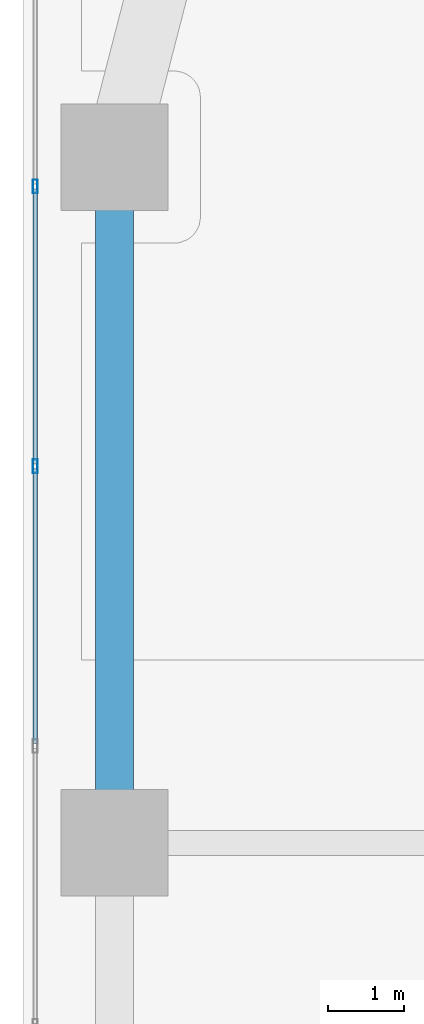
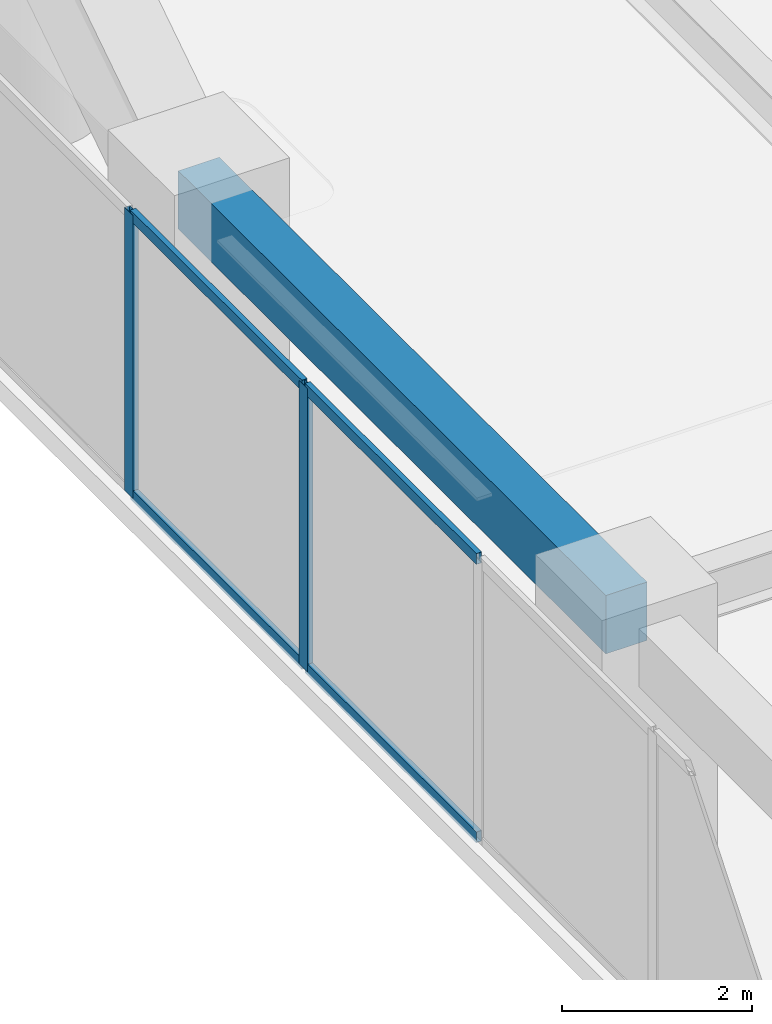
# One storey, part 9 of 24: 6 members, 1 beam, 1 element without a shape of its own.
"""IFC4 building model written with IfcOpenShell, lengths in metres."""

from ifc_helpers import new_model, si_unit, direction, frame, origin, origin_2d, place, context, subcontext, project, spatial, rectangle, hollow_rectangle, extrude, material, layer, layer_set, material_profile, profile_set, type_object, element, aggregate, save


model = new_model("IFC4")

# Units and contexts
model_context = context("Model", 3, precision=1e-05, world=origin(), true_north=direction((0.0, 1.0)))
body_context = subcontext(model_context, "Body", "Model", "MODEL_VIEW")
ifc_project = project(units=[si_unit("LENGTHUNIT", "METRE"), si_unit("AREAUNIT", "SQUARE_METRE"), si_unit("VOLUMEUNIT", "CUBIC_METRE"), si_unit("PLANEANGLEUNIT", "RADIAN"), si_unit("MASSUNIT", "GRAM", prefix="KILO")], contexts=[model_context])

# Site, building, storey
site_placement = place(None, origin())
site = spatial("IfcSite", under=ifc_project, at=site_placement, CompositionType="ELEMENT")
building_placement = place(site_placement, origin())
building = spatial("IfcBuilding", under=site, at=building_placement, Name="Kiyonajd Concourse Tower", CompositionType="ELEMENT")
storey_placement = place(building_placement, frame((0.0, 0.0, 133.800048828125)))
storey = spatial("IfcBuildingStorey", under=building, at=storey_placement, Name="L34", CompositionType="ELEMENT", Elevation=133.800048828125)

# Beam
ifc_material_1 = material(Name="Precast concrete C50/60", Category="concrete")
ifc_material_profile_1 = material_profile(ifc_material_1, rectangle(XDim=0.5, YDim=0.75, at=origin_2d()), Name="RCBM-500x750")
ifc_profile_set_1 = profile_set([ifc_material_profile_1], Name="Precast concrete C50/60")
beam_type = type_object("IfcBeamType", Name="BM-SPAN-RC", PredefinedType="SPANDREL", material=ifc_profile_set_1)
beam_placement = place(storey_placement, frame((19.199951171875, 53.39990234375, 3.264892578125), z_axis=(0.0, -1.0, 0.0), x_axis=(1.0, 0.0, 0.0)))
element("IfcBeam", 1, at=beam_placement, inside=storey, type_object=beam_type, Name="L34 Perimeter Bundled Tube Spandrel", PredefinedType="SPANDREL", context=body_context, shape_type="SweptSolid", body=[
    extrude(rectangle(XDim=0.5, YDim=0.75, at=origin_2d()), origin(), (0.0, 0.0, 1.0), 9.0),
])

# Curtain wall, members
ifc_material_2 = material(Name="Thermally Broken Anodised Aluminium", Category="aluminium")
ifc_layer = layer(ifc_material_2, 0.179931640625)
ifc_layer_set = layer_set([ifc_layer], Name="Thermally Broken Anodised Aluminium")
curtain_wall_type = type_object("IfcCurtainWallType", Name="CW-SYS-03", PredefinedType="NOTDEFINED", material=ifc_layer_set)
curtain_wall_placement = place(storey_placement, origin())
curtain_wall = element("IfcCurtainWall", 2, at=curtain_wall_placement, inside=storey, type_object=curtain_wall_type, Name="L34 Unitised Curtain Wall CW3", PredefinedType="NOTDEFINED")
ifc_material_profile_2 = material_profile(ifc_material_2, hollow_rectangle(XDim=0.06494140625, YDim=0.179931640625, WallThickness=0.00390625, at=origin_2d()), Name="MULL-65x180")
ifc_profile_set_2 = profile_set([ifc_material_profile_2], Name="Thermally Broken Anodised Aluminium")
member_type_1 = type_object("IfcMemberType", Name="MB-CW-MULL1", PredefinedType="MULLION", material=ifc_profile_set_2)
member_1_placement = place(storey_placement, frame((18.159912109375, 49.342529296875, 0.0), z_axis=(0.0, 0.0, 1.0), x_axis=(-1.0, 0.0, 0.0)))
member_1 = element("IfcMember", 3, at=member_1_placement, type_object=member_type_1, Name="CW3 mullion 5", PredefinedType="MULLION", context=body_context, shape_type="SweptSolid", body=[
    extrude(hollow_rectangle(XDim=0.06494140625, YDim=0.179931640625, WallThickness=0.00390625, at=origin_2d()), origin(), (0.0, 0.0, 1.0), 3.639892578125),
])
member_2_placement = place(storey_placement, frame((18.159912109375, 53.015869140625, 0.0), z_axis=(0.0, 0.0, 1.0), x_axis=(-1.0, 0.0, 0.0)))
member_2 = element("IfcMember", 4, at=member_2_placement, type_object=member_type_1, Name="CW3 mullion 6", PredefinedType="MULLION", context=body_context, shape_type="SweptSolid", body=[
    extrude(hollow_rectangle(XDim=0.06494140625, YDim=0.179931640625, WallThickness=0.00390625, at=origin_2d()), origin(), (0.0, 0.0, 1.0), 3.639892578125),
])
ifc_material_profile_3 = material_profile(ifc_material_2, hollow_rectangle(XDim=0.06494140625, YDim=0.139892578125, WallThickness=0.00390625, at=origin_2d()), Name="TRAN-65x140")
ifc_profile_set_3 = profile_set([ifc_material_profile_3], Name="Thermally Broken Anodised Aluminium")
member_type_2 = type_object("IfcMemberType", Name="MB-CW-TRAN1", PredefinedType="USERDEFINED", material=ifc_profile_set_3)
member_3_placement = place(storey_placement, frame((18.159912109375, 45.701904296875, 0.032470703125), z_axis=(0.0, 1.0, 0.0), x_axis=(-1.0, 0.0, 0.0)))
member_3 = element("IfcMember", 5, at=member_3_placement, type_object=member_type_2, Name="CW3 transom 4.1", ObjectType="TRANSOM", PredefinedType="USERDEFINED", context=body_context, shape_type="SweptSolid", body=[
    extrude(hollow_rectangle(XDim=0.06494140625, YDim=0.139892578125, WallThickness=0.00390625, at=origin_2d()), origin(), (0.0, 0.0, 1.0), 3.608154296875),
])
member_4_placement = place(storey_placement, frame((18.159912109375, 45.701904296875, 3.607421875), z_axis=(0.0, 1.0, 0.0), x_axis=(-1.0, 0.0, 0.0)))
member_4 = element("IfcMember", 6, at=member_4_placement, type_object=member_type_2, Name="CW3 transom 4.2", ObjectType="TRANSOM", PredefinedType="USERDEFINED", context=body_context, shape_type="SweptSolid", body=[
    extrude(hollow_rectangle(XDim=0.06494140625, YDim=0.139892578125, WallThickness=0.00390625, at=origin_2d()), origin(), (0.0, 0.0, 1.0), 3.608154296875),
])
member_5_placement = place(storey_placement, frame((18.159912109375, 49.375, 0.032470703125), z_axis=(0.0, 1.0, 0.0), x_axis=(-1.0, 0.0, 0.0)))
member_5 = element("IfcMember", 7, at=member_5_placement, type_object=member_type_2, Name="CW3 transom 5.1", ObjectType="TRANSOM", PredefinedType="USERDEFINED", context=body_context, shape_type="SweptSolid", body=[
    extrude(hollow_rectangle(XDim=0.06494140625, YDim=0.139892578125, WallThickness=0.00390625, at=origin_2d()), origin(), (0.0, 0.0, 1.0), 3.608154296875),
])
member_6_placement = place(storey_placement, frame((18.159912109375, 49.375, 3.607421875), z_axis=(0.0, 1.0, 0.0), x_axis=(-1.0, 0.0, 0.0)))
member_6 = element("IfcMember", 8, at=member_6_placement, type_object=member_type_2, Name="CW3 transom 5.2", ObjectType="TRANSOM", PredefinedType="USERDEFINED", context=body_context, shape_type="SweptSolid", body=[
    extrude(hollow_rectangle(XDim=0.06494140625, YDim=0.139892578125, WallThickness=0.00390625, at=origin_2d()), origin(), (0.0, 0.0, 1.0), 3.608154296875),
])
aggregate(curtain_wall, [member_1, member_2, member_3, member_4, member_5, member_6])

save(model, "model.ifc")
